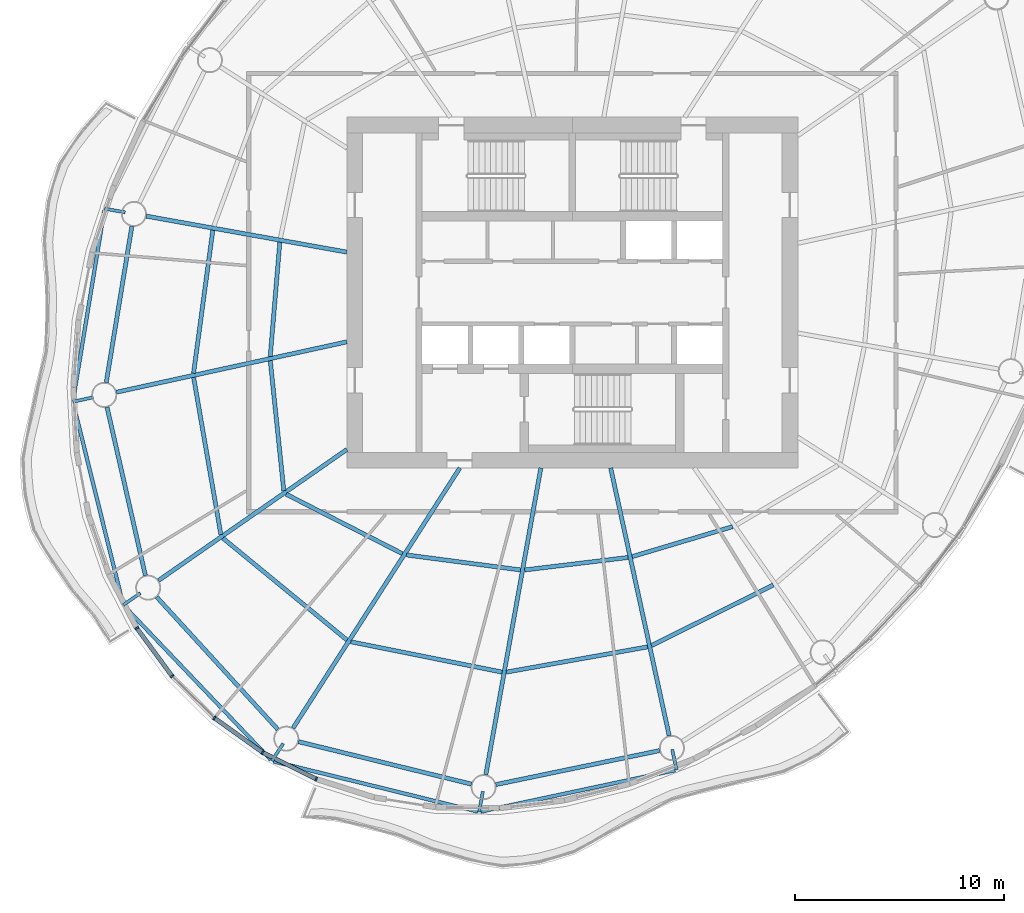
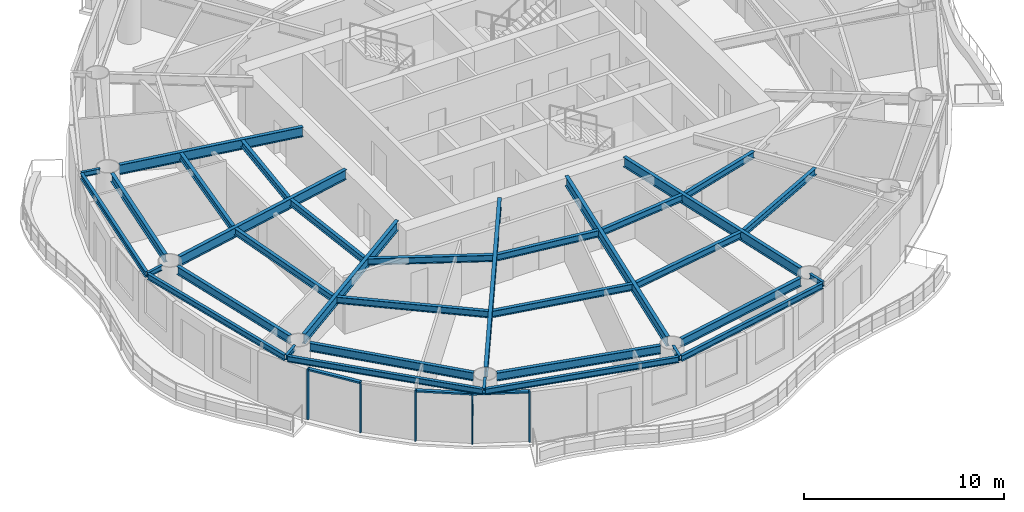
# One storey, part 2 of 14: 34 beams, 8 members, 4 elements without a shape of their own.
"""IFC4 building model written with IfcOpenShell, lengths in metres."""

from ifc_helpers import new_model, si_unit, direction, frame, origin, origin_2d, place, context, subcontext, project, spatial, rectangle, i_section, extrude, material, material_profile, profile_set, type_object, element, aggregate, save


model = new_model("IFC4")

# Units and contexts
model_context = context("Model", 3, precision=1e-05, world=origin(), true_north=direction((0.0, 1.0)))
body_context = subcontext(model_context, "Body", "Model", "MODEL_VIEW")
ifc_project = project(units=[si_unit("LENGTHUNIT", "METRE"), si_unit("AREAUNIT", "SQUARE_METRE"), si_unit("VOLUMEUNIT", "CUBIC_METRE"), si_unit("PLANEANGLEUNIT", "RADIAN"), si_unit("MASSUNIT", "GRAM", prefix="KILO")], contexts=[model_context])

# Site, building, storey
site_placement = place(None, origin())
site = spatial("IfcSite", under=ifc_project, at=site_placement, CompositionType="ELEMENT")
building_placement = place(site_placement, origin())
building = spatial("IfcBuilding", under=site, at=building_placement, Name="Vermilion Reach Broadcast Tower", CompositionType="ELEMENT")
storey_placement = place(building_placement, frame((0.0, 0.0, 231.699951171875)))
storey = spatial("IfcBuildingStorey", under=building, at=storey_placement, Name="L57", CompositionType="ELEMENT", Elevation=231.699951171875)

# Beams
ifc_material_1 = material(Name="Steel S355J2", Category="steel")
ifc_material_profile_1 = material_profile(ifc_material_1, i_section(OverallWidth=0.175048828125, OverallDepth=0.35009765625, WebThickness=0.007080078125, FlangeThickness=0.010986328125, at=origin_2d()), Name="S355J2 HN 350x175x7x11")
ifc_profile_set_1 = profile_set([ifc_material_profile_1], Name="Steel S355J2")
beam_type_1 = type_object("IfcBeamType", Name="EB4 HN 350x175x7x11", PredefinedType="BEAM", material=ifc_profile_set_1)
beam_1_placement = place(storey_placement, frame((-28.417724609375, 3.9453125, 3.275146484375), z_axis=(-0.162302688441, -0.986741018365, 0.0), x_axis=(0.986741018365, -0.162302688441, 0.0)))
element("IfcBeam", 1, at=beam_1_placement, inside=storey, type_object=beam_type_1, Name="Edge beam EB4-06", PredefinedType="BEAM", context=body_context, shape_type="SweptSolid", body=[
    extrude(i_section(OverallWidth=0.175048828125, OverallDepth=0.35009765625, WebThickness=0.007080078125, FlangeThickness=0.010986328125, at=origin_2d()), origin(), (0.0, 0.0, 1.0), 9.218017578125),
])
beam_2_placement = place(storey_placement, frame((-29.908935546875, -5.302734375, 3.275146484375), z_axis=(0.240819581999, -0.970569899042, 0.0), x_axis=(0.970569899042, 0.240819581999, 0.0)))
element("IfcBeam", 2, at=beam_2_placement, inside=storey, type_object=beam_type_1, Name="Edge beam EB4-07", PredefinedType="BEAM", context=body_context, shape_type="SweptSolid", body=[
    extrude(i_section(OverallWidth=0.175048828125, OverallDepth=0.35009765625, WebThickness=0.007080078125, FlangeThickness=0.010986328125, at=origin_2d()), origin(), (0.0, 0.0, 1.0), 9.87744140625),
])
beam_3_placement = place(storey_placement, frame((-27.45849609375, -15.022216796875, 3.275146484375), z_axis=(0.689966242308, -0.723841546525, 0.0), x_axis=(0.723841546525, 0.689966242308, 0.0)))
element("IfcBeam", 3, at=beam_3_placement, inside=storey, type_object=beam_type_1, Name="Edge beam EB4-08", PredefinedType="BEAM", context=body_context, shape_type="SweptSolid", body=[
    extrude(i_section(OverallWidth=0.175048828125, OverallDepth=0.35009765625, WebThickness=0.007080078125, FlangeThickness=0.010986328125, at=origin_2d()), origin(), (0.0, 0.0, 1.0), 10.169189453125),
])
beam_4_placement = place(storey_placement, frame((-20.31201171875, -22.457763671875, 3.275146484375), z_axis=(0.971092154973, -0.238704894274, 0.0), x_axis=(0.238704894274, 0.971092154973, 0.0)))
element("IfcBeam", 4, at=beam_4_placement, inside=storey, type_object=beam_type_1, Name="Edge beam EB4-09", PredefinedType="BEAM", context=body_context, shape_type="SweptSolid", body=[
    extrude(i_section(OverallWidth=0.175048828125, OverallDepth=0.35009765625, WebThickness=0.007080078125, FlangeThickness=0.010986328125, at=origin_2d()), origin(), (0.0, 0.0, 1.0), 10.067138671875),
])
beam_5_placement = place(storey_placement, frame((-10.3837890625, -24.86181640625, 3.275146484375), z_axis=(0.978096150859, 0.208153596351, 0.0), x_axis=(-0.208153596351, 0.978096150859, 0.0)))
element("IfcBeam", 5, at=beam_5_placement, inside=storey, type_object=beam_type_1, Name="Edge beam EB4-10", PredefinedType="BEAM", context=body_context, shape_type="SweptSolid", body=[
    extrude(i_section(OverallWidth=0.175048828125, OverallDepth=0.35009765625, WebThickness=0.007080078125, FlangeThickness=0.010986328125, at=origin_2d()), origin(), (0.0, 0.0, 1.0), 9.516845703125),
])
ifc_material_2 = material(Name="Steel S355J2", Category="steel")
ifc_material_profile_2 = material_profile(ifc_material_2, i_section(OverallWidth=0.199951171875, OverallDepth=0.60009765625, WebThickness=0.010986328125, FlangeThickness=0.01708984375, at=origin_2d()), Name="S355J2 HN 600x200x11x17")
ifc_profile_set_2 = profile_set([ifc_material_profile_2], Name="Steel S355J2")
beam_type_2 = type_object("IfcBeamType", Name="G4 HN 600x200x11x17", PredefinedType="BEAM", material=ifc_profile_set_2)
beam_6_placement = place(storey_placement, frame((-16.800048828125, 1.9375, 3.150146484375), z_axis=(-0.984291153273, 0.176552897422, 0.0), x_axis=(-0.176552897422, -0.984291153273, 0.0)))
element("IfcBeam", 6, at=beam_6_placement, inside=storey, type_object=beam_type_2, Name="Girder G4-06", PredefinedType="BEAM", context=body_context, shape_type="SweptSolid", body=[
    extrude(i_section(OverallWidth=0.199951171875, OverallDepth=0.60009765625, WebThickness=0.010986328125, FlangeThickness=0.01708984375, at=origin_2d()), origin(), (0.0, 0.0, 1.0), 9.765380859375),
])
beam_7_placement = place(storey_placement, frame((-16.800048828125, -2.360595703125, 3.150146484375), z_axis=(-0.976930175286, -0.213558967537, 0.0), x_axis=(0.213558967537, -0.976930175286, 0.0)))
element("IfcBeam", 7, at=beam_7_placement, inside=storey, type_object=beam_type_2, Name="Girder G4-07", PredefinedType="BEAM", context=body_context, shape_type="SweptSolid", body=[
    extrude(i_section(OverallWidth=0.199951171875, OverallDepth=0.60009765625, WebThickness=0.010986328125, FlangeThickness=0.01708984375, at=origin_2d()), origin(), (0.0, 0.0, 1.0), 11.29833984375),
])
beam_8_placement = place(storey_placement, frame((-16.800048828125, -7.5146484375, 3.150146484375), z_axis=(-0.820848627818, -0.571145804684, 0.0), x_axis=(0.571145804684, -0.820848627818, 0.0)))
element("IfcBeam", 8, at=beam_8_placement, inside=storey, type_object=beam_type_2, Name="Girder G4-08", PredefinedType="BEAM", context=body_context, shape_type="SweptSolid", body=[
    extrude(i_section(OverallWidth=0.199951171875, OverallDepth=0.60009765625, WebThickness=0.010986328125, FlangeThickness=0.01708984375, at=origin_2d()), origin(), (0.0, 0.0, 1.0), 10.99560546875),
])
beam_9_placement = place(storey_placement, frame((-11.386474609375, -8.39990234375, 3.150146484375), z_axis=(-0.539796447586, -0.84179557802, 0.0), x_axis=(0.84179557802, -0.539796447586, 0.0)))
element("IfcBeam", 9, at=beam_9_placement, inside=storey, type_object=beam_type_2, Name="Girder G4-09", PredefinedType="BEAM", context=body_context, shape_type="SweptSolid", body=[
    extrude(i_section(OverallWidth=0.199951171875, OverallDepth=0.60009765625, WebThickness=0.010986328125, FlangeThickness=0.01708984375, at=origin_2d()), origin(), (0.0, 0.0, 1.0), 14.8076171875),
])
beam_10_placement = place(storey_placement, frame((-7.5068359375, -8.39990234375, 3.150146484375), z_axis=(-0.176574729047, -0.984287237072, 0.0), x_axis=(0.984287237072, -0.176574729047, 0.0)))
element("IfcBeam", 10, at=beam_10_placement, inside=storey, type_object=beam_type_2, Name="Girder G4-10", PredefinedType="BEAM", context=body_context, shape_type="SweptSolid", body=[
    extrude(i_section(OverallWidth=0.199951171875, OverallDepth=0.60009765625, WebThickness=0.010986328125, FlangeThickness=0.01708984375, at=origin_2d()), origin(), (0.0, 0.0, 1.0), 14.935302734375),
])
beam_11_placement = place(storey_placement, frame((-4.163818359375, -8.39990234375, 3.150146484375), z_axis=(0.213538346548, -0.976934682849, 0.0), x_axis=(0.976934682849, 0.213538346548, 0.0)))
element("IfcBeam", 11, at=beam_11_placement, inside=storey, type_object=beam_type_2, Name="Girder G4-11", PredefinedType="BEAM", context=body_context, shape_type="SweptSolid", body=[
    extrude(i_section(OverallWidth=0.199951171875, OverallDepth=0.60009765625, WebThickness=0.010986328125, FlangeThickness=0.01708984375, at=origin_2d()), origin(), (0.0, 0.0, 1.0), 13.135498046875),
])
ifc_material_3 = material(Name="Steel S355J2", Category="steel")
ifc_material_profile_3 = material_profile(ifc_material_3, i_section(OverallWidth=0.14990234375, OverallDepth=0.300048828125, WebThickness=0.006591796875, FlangeThickness=0.009033203125, at=origin_2d()), Name="S355J2 HN 300x150x6.5x9")
ifc_profile_set_3 = profile_set([ifc_material_profile_3], Name="Steel S355J2")
beam_type_3 = type_object("IfcBeamType", Name="GS4 HN 300x150x6.5x9", PredefinedType="BEAM", material=ifc_profile_set_3)
for number, where, z_axis, x_axis, name in (
    (12, (-27.421142578125, 3.8427734375, 3.300048828125), (-0.984300581331, 0.176500327456, 0.0), (-0.176500327456, -0.984300581331, 0.0), "Cantilever stub GS4-06"),
    (13, (-28.949951171875, -5.0166015625, 3.300048828125), (-0.976973219116, -0.213361967393, 0.0), (0.213361967393, -0.976973219116, 0.0), "Cantilever stub GS4-07"),
    (14, (-26.690185546875, -14.39599609375, 3.300048828125), (-0.820765852073, -0.571264751294, 0.0), (0.571264751294, -0.820765852073, 0.0), "Cantilever stub GS4-08"),
    (15, (-19.84912109375, -21.59716796875, 3.300048828125), (-0.539794777091, -0.841796649213, 0.0), (0.841796649213, -0.539794777091, 0.0), "Cantilever stub GS4-09"),
):
    element("IfcBeam", number, at=place(storey_placement, frame(where, z_axis=z_axis, x_axis=x_axis)), inside=storey, type_object=beam_type_3, Name=name, PredefinedType="BEAM", context=body_context, shape_type="SweptSolid", body=[
        extrude(i_section(OverallWidth=0.14990234375, OverallDepth=0.300048828125, WebThickness=0.006591796875, FlangeThickness=0.009033203125, at=origin_2d()), origin(), (0.0, 0.0, 1.0), 1.0),
    ])
beam_12_placement = place(storey_placement, frame((-10.286376953125, -23.89453125, 3.300048828125), z_axis=(-0.176542748677, -0.984292973606, 0.0), x_axis=(0.984292973606, -0.176542748677, 0.0)))
element("IfcBeam", 16, at=beam_12_placement, inside=storey, type_object=beam_type_3, Name="Cantilever stub GS4-10", PredefinedType="BEAM", context=body_context, shape_type="SweptSolid", body=[
    extrude(i_section(OverallWidth=0.14990234375, OverallDepth=0.300048828125, WebThickness=0.006591796875, FlangeThickness=0.009033203125, at=origin_2d()), origin(), (0.0, 0.0, 1.0), 0.999755859375),
])
beam_13_placement = place(storey_placement, frame((-1.215576171875, -21.888427734375, 3.300048828125), z_axis=(0.213645906146, -0.976911166272, 0.0), x_axis=(0.976911166272, 0.213645906146, 0.0)))
element("IfcBeam", 17, at=beam_13_placement, inside=storey, type_object=beam_type_3, Name="Cantilever stub GS4-11", PredefinedType="BEAM", context=body_context, shape_type="SweptSolid", body=[
    extrude(i_section(OverallWidth=0.14990234375, OverallDepth=0.300048828125, WebThickness=0.006591796875, FlangeThickness=0.009033203125, at=origin_2d()), origin(), (0.0, 0.0, 1.0), 1.0),
])
ifc_material_4 = material(Name="Steel S355J2", Category="steel")
ifc_material_profile_4 = material_profile(ifc_material_4, i_section(OverallWidth=0.199951171875, OverallDepth=0.5, WebThickness=0.010009765625, FlangeThickness=0.01611328125, at=origin_2d()), Name="S355J2 HN 500x200x10x16")
ifc_profile_set_4 = profile_set([ifc_material_profile_4], Name="Steel S355J2")
beam_type_4 = type_object("IfcBeamType", Name="RB4 HN 500x200x10x16", PredefinedType="BEAM", material=ifc_profile_set_4)
beam_14_placement = place(storey_placement, frame((-27.099609375, 3.175537109375, 3.199951171875), z_axis=(-0.161778110263, -0.986827159659, 0.0), x_axis=(0.986827159659, -0.161778110263, 0.0)))
element("IfcBeam", 18, at=beam_14_placement, inside=storey, type_object=beam_type_4, Name="Ring beam RB4-06", PredefinedType="BEAM", context=body_context, shape_type="SweptSolid", body=[
    extrude(i_section(OverallWidth=0.199951171875, OverallDepth=0.5, WebThickness=0.010009765625, FlangeThickness=0.01611328125, at=origin_2d()), origin(), (0.0, 0.0, 1.0), 7.584716796875),
])
beam_15_placement = place(storey_placement, frame((-28.290283203125, -5.486572265625, 3.199951171875), z_axis=(0.222283068275, -0.974982172944, 0.0), x_axis=(0.974982172944, 0.222283068275, 0.0)))
element("IfcBeam", 19, at=beam_15_placement, inside=storey, type_object=beam_type_4, Name="Ring beam RB4-07", PredefinedType="BEAM", context=body_context, shape_type="SweptSolid", body=[
    extrude(i_section(OverallWidth=0.199951171875, OverallDepth=0.5, WebThickness=0.010009765625, FlangeThickness=0.01611328125, at=origin_2d()), origin(), (0.0, 0.0, 1.0), 8.272705078125),
])
beam_16_placement = place(storey_placement, frame((-25.9130859375, -14.580078125, 3.199951171875), z_axis=(0.674868141417, -0.737938338684, 0.0), x_axis=(0.737938338684, 0.674868141417, 0.0)))
element("IfcBeam", 20, at=beam_16_placement, inside=storey, type_object=beam_type_4, Name="Ring beam RB4-08", PredefinedType="BEAM", context=body_context, shape_type="SweptSolid", body=[
    extrude(i_section(OverallWidth=0.199951171875, OverallDepth=0.5, WebThickness=0.010009765625, FlangeThickness=0.01611328125, at=origin_2d()), origin(), (0.0, 0.0, 1.0), 8.601318359375),
])
beam_17_placement = place(storey_placement, frame((-19.120849609375, -21.51318359375, 3.199951171875), z_axis=(0.971158622271, -0.238434331398, 0.0), x_axis=(0.238434331398, 0.971158622271, 0.0)))
element("IfcBeam", 21, at=beam_17_placement, inside=storey, type_object=beam_type_4, Name="Ring beam RB4-09", PredefinedType="BEAM", context=body_context, shape_type="SweptSolid", body=[
    extrude(i_section(OverallWidth=0.199951171875, OverallDepth=0.5, WebThickness=0.010009765625, FlangeThickness=0.01611328125, at=origin_2d()), origin(), (0.0, 0.0, 1.0), 8.534423828125),
])
beam_18_placement = place(storey_placement, frame((-9.662353515625, -23.569091796875, 3.199951171875), z_axis=(0.97912342484, 0.203266620302, 0.0), x_axis=(-0.203266620302, 0.97912342484, 0.0)))
element("IfcBeam", 22, at=beam_18_placement, inside=storey, type_object=beam_type_4, Name="Ring beam RB4-10", PredefinedType="BEAM", context=body_context, shape_type="SweptSolid", body=[
    extrude(i_section(OverallWidth=0.199951171875, OverallDepth=0.5, WebThickness=0.010009765625, FlangeThickness=0.01611328125, at=origin_2d()), origin(), (0.0, 0.0, 1.0), 8.01123046875),
])
ifc_material_5 = material(Name="Steel S355J2", Category="steel")
ifc_material_profile_5 = material_profile(ifc_material_5, i_section(OverallWidth=0.199951171875, OverallDepth=0.39990234375, WebThickness=0.008056640625, FlangeThickness=0.012939453125, at=origin_2d()), Name="S355J2 HN 400x200x8x13")
ifc_profile_set_5 = profile_set([ifc_material_profile_5], Name="Steel S355J2")
beam_type_5 = type_object("IfcBeamType", Name="SB4 HN 400x200x8x13", PredefinedType="BEAM", material=ifc_profile_set_5)
beam_19_placement = place(storey_placement, frame((-20.012451171875, 2.412109375, 3.25), z_axis=(-0.08339866655, -0.996516262997, 0.0), x_axis=(0.996516262997, -0.08339866655, 0.0)))
element("IfcBeam", 23, at=beam_19_placement, inside=storey, type_object=beam_type_5, Name="Secondary beam SB4-06-1", PredefinedType="BEAM", context=body_context, shape_type="SweptSolid", body=[
    extrude(i_section(OverallWidth=0.199951171875, OverallDepth=0.39990234375, WebThickness=0.008056640625, FlangeThickness=0.012939453125, at=origin_2d()), origin(), (0.0, 0.0, 1.0), 5.49169921875),
])
beam_20_placement = place(storey_placement, frame((-23.221435546875, 2.98779296875, 3.25), z_axis=(-0.133486718782, -0.991050602093, 0.0), x_axis=(0.991050602093, -0.133486718782, 0.0)))
element("IfcBeam", 24, at=beam_20_placement, inside=storey, type_object=beam_type_5, Name="Secondary beam SB4-06-2", PredefinedType="BEAM", context=body_context, shape_type="SweptSolid", body=[
    extrude(i_section(OverallWidth=0.199951171875, OverallDepth=0.39990234375, WebThickness=0.008056640625, FlangeThickness=0.012939453125, at=origin_2d()), origin(), (0.0, 0.0, 1.0), 6.913330078125),
])
beam_21_placement = place(storey_placement, frame((-20.46875, -3.264892578125, 3.25), z_axis=(0.103532173355, -0.994626105167, 0.0), x_axis=(0.994626105167, 0.103532173355, 0.0)))
element("IfcBeam", 25, at=beam_21_placement, inside=storey, type_object=beam_type_5, Name="Secondary beam SB4-07-1", PredefinedType="BEAM", context=body_context, shape_type="SweptSolid", body=[
    extrude(i_section(OverallWidth=0.199951171875, OverallDepth=0.39990234375, WebThickness=0.008056640625, FlangeThickness=0.012939453125, at=origin_2d()), origin(), (0.0, 0.0, 1.0), 6.26318359375),
])
beam_22_placement = place(storey_placement, frame((-24.141357421875, -4.067626953125, 3.25), z_axis=(0.170926997669, -0.985283695931, 0.0), x_axis=(0.985283695931, 0.170926997669, 0.0)))
element("IfcBeam", 26, at=beam_22_placement, inside=storey, type_object=beam_type_5, Name="Secondary beam SB4-07-2", PredefinedType="BEAM", context=body_context, shape_type="SweptSolid", body=[
    extrude(i_section(OverallWidth=0.199951171875, OverallDepth=0.39990234375, WebThickness=0.008056640625, FlangeThickness=0.012939453125, at=origin_2d()), origin(), (0.0, 0.0, 1.0), 7.63720703125),
])
beam_23_placement = place(storey_placement, frame((-19.707763671875, -9.659423828125, 3.25), z_axis=(0.89015575218, -0.455656380249, 0.0), x_axis=(0.455656380249, 0.89015575218, 0.0)))
element("IfcBeam", 27, at=beam_23_placement, inside=storey, type_object=beam_type_5, Name="Secondary beam SB4-08-1", PredefinedType="BEAM", context=body_context, shape_type="SweptSolid", body=[
    extrude(i_section(OverallWidth=0.199951171875, OverallDepth=0.39990234375, WebThickness=0.008056640625, FlangeThickness=0.012939453125, at=origin_2d()), origin(), (0.0, 0.0, 1.0), 6.25439453125),
])
beam_24_placement = place(storey_placement, frame((-22.73681640625, -11.76708984375, 3.25), z_axis=(0.772952000494, -0.6344645025, 0.0), x_axis=(0.6344645025, 0.772952000494, 0.0)))
element("IfcBeam", 28, at=beam_24_placement, inside=storey, type_object=beam_type_5, Name="Secondary beam SB4-08-2", PredefinedType="BEAM", context=body_context, shape_type="SweptSolid", body=[
    extrude(i_section(OverallWidth=0.199951171875, OverallDepth=0.39990234375, WebThickness=0.008056640625, FlangeThickness=0.012939453125, at=origin_2d()), origin(), (0.0, 0.0, 1.0), 7.689697265625),
])
beam_25_placement = place(storey_placement, frame((-13.94140625, -12.5693359375, 3.25), z_axis=(0.991458070019, -0.130425823341, 0.0), x_axis=(0.130425823341, 0.991458070019, 0.0)))
element("IfcBeam", 29, at=beam_25_placement, inside=storey, type_object=beam_type_5, Name="Secondary beam SB4-09-1", PredefinedType="BEAM", context=body_context, shape_type="SweptSolid", body=[
    extrude(i_section(OverallWidth=0.199951171875, OverallDepth=0.39990234375, WebThickness=0.008056640625, FlangeThickness=0.012939453125, at=origin_2d()), origin(), (0.0, 0.0, 1.0), 5.50341796875),
])
beam_26_placement = place(storey_placement, frame((-16.60986328125, -16.73095703125, 3.25), z_axis=(0.9805717807, -0.196160604851, 0.0), x_axis=(0.196160604851, 0.9805717807, 0.0)))
element("IfcBeam", 30, at=beam_26_placement, inside=storey, type_object=beam_type_5, Name="Secondary beam SB4-09-2", PredefinedType="BEAM", context=body_context, shape_type="SweptSolid", body=[
    extrude(i_section(OverallWidth=0.199951171875, OverallDepth=0.39990234375, WebThickness=0.008056640625, FlangeThickness=0.012939453125, at=origin_2d()), origin(), (0.0, 0.0, 1.0), 7.390380859375),
])
beam_27_placement = place(storey_placement, frame((-8.281982421875, -13.28759765625, 3.25), z_axis=(0.99278788328, 0.119884189168, 0.0), x_axis=(-0.119884189168, 0.99278788328, 0.0)))
element("IfcBeam", 31, at=beam_27_placement, inside=storey, type_object=beam_type_5, Name="Secondary beam SB4-10-1", PredefinedType="BEAM", context=body_context, shape_type="SweptSolid", body=[
    extrude(i_section(OverallWidth=0.199951171875, OverallDepth=0.39990234375, WebThickness=0.008056640625, FlangeThickness=0.012939453125, at=origin_2d()), origin(), (0.0, 0.0, 1.0), 4.9892578125),
])
beam_28_placement = place(storey_placement, frame((-9.159912109375, -18.181640625, 3.25), z_axis=(0.984415281892, 0.175859468829, 0.0), x_axis=(-0.175859468829, 0.984415281892, 0.0)))
element("IfcBeam", 32, at=beam_28_placement, inside=storey, type_object=beam_type_5, Name="Secondary beam SB4-10-2", PredefinedType="BEAM", context=body_context, shape_type="SweptSolid", body=[
    extrude(i_section(OverallWidth=0.199951171875, OverallDepth=0.39990234375, WebThickness=0.008056640625, FlangeThickness=0.012939453125, at=origin_2d()), origin(), (0.0, 0.0, 1.0), 6.874755859375),
])
beam_29_placement = place(storey_placement, frame((-3.1328125, -12.64892578125, 3.25), z_axis=(0.958173460215, 0.28618808525, 0.0), x_axis=(-0.28618808525, 0.958173460215, 0.0)))
element("IfcBeam", 33, at=beam_29_placement, inside=storey, type_object=beam_type_5, Name="Secondary beam SB4-11-1", PredefinedType="BEAM", context=body_context, shape_type="SweptSolid", body=[
    extrude(i_section(OverallWidth=0.199951171875, OverallDepth=0.39990234375, WebThickness=0.008056640625, FlangeThickness=0.012939453125, at=origin_2d()), origin(), (0.0, 0.0, 1.0), 5.02197265625),
])
beam_30_placement = place(storey_placement, frame((-2.20166015625, -16.908935546875, 3.25), z_axis=(0.895183615542, 0.445697536974, 0.0), x_axis=(-0.445697536974, 0.895183615542, 0.0)))
element("IfcBeam", 34, at=beam_30_placement, inside=storey, type_object=beam_type_5, Name="Secondary beam SB4-11-2", PredefinedType="BEAM", context=body_context, shape_type="SweptSolid", body=[
    extrude(i_section(OverallWidth=0.199951171875, OverallDepth=0.39990234375, WebThickness=0.008056640625, FlangeThickness=0.012939453125, at=origin_2d()), origin(), (0.0, 0.0, 1.0), 6.508544921875),
])

# Curtain wall, member
ifc_material_6 = material(Name="Low-e laminated clear glass in aluminium frame", Category="aluminium")
curtain_wall_type = type_object("IfcCurtainWallType", Name="Slot curtain wall", PredefinedType="NOTDEFINED", material=ifc_material_6)
placement = place(storey_placement, origin())
curtain_wall_1 = element("IfcCurtainWall", 35, at=placement, inside=storey, type_object=curtain_wall_type, Name="Slot curtain wall L57 22", PredefinedType="NOTDEFINED")
ifc_material_7 = material(Name="Anodised aluminium", Category="aluminium")
ifc_material_profile_6 = material_profile(ifc_material_7, rectangle(XDim=0.199951171875, YDim=0.080078125, at=origin_2d()), Name="Slot mullion 80 x 200")
ifc_profile_set_6 = profile_set([ifc_material_profile_6], Name="Anodised aluminium")
member_type_1 = type_object("IfcMemberType", Name="Slot mullion 80 x 200", PredefinedType="MULLION", material=ifc_profile_set_6)
member_1_placement = place(storey_placement, frame((-26.865478515625, -16.0693359375, 0.0), z_axis=(0.0, 0.0, 1.0), x_axis=(0.849464428571, 0.527645889393, 0.0)))
member_1 = element("IfcMember", 36, at=member_1_placement, type_object=member_type_1, Name="Slot mullion L57 22", PredefinedType="MULLION", context=body_context, shape_type="SweptSolid", body=[
    extrude(rectangle(XDim=0.199951171875, YDim=0.080078125, at=origin_2d()), origin(), (0.0, 0.0, 1.0), 3.10009765625),
])

curtain_wall_2 = element("IfcCurtainWall", 37, at=placement, inside=storey, type_object=curtain_wall_type, Name="Slot curtain wall L57 23", PredefinedType="NOTDEFINED")
member_2_placement = place(storey_placement, frame((-25.16943359375, -18.38037109375, 0.0), z_axis=(0.0, 0.0, 1.0), x_axis=(0.756868427494, 0.653567275391, 0.0)))
member_2 = element("IfcMember", 38, at=member_2_placement, type_object=member_type_1, Name="Slot mullion L57 23", PredefinedType="MULLION", context=body_context, shape_type="SweptSolid", body=[
    extrude(rectangle(XDim=0.199951171875, YDim=0.080078125, at=origin_2d()), origin(), (0.0, 0.0, 1.0), 3.10009765625),
])
aggregate(curtain_wall_2, [member_2])

curtain_wall_3 = element("IfcCurtainWall", 39, at=placement, inside=storey, type_object=curtain_wall_type, Name="Slot curtain wall L57 24", PredefinedType="NOTDEFINED")
member_3_placement = place(storey_placement, frame((-23.1474609375, -20.377685546875, 0.0), z_axis=(0.0, 0.0, 1.0), x_axis=(0.64385659192, 0.76514618802, 0.0)))
member_3 = element("IfcMember", 40, at=member_3_placement, type_object=member_type_1, Name="Slot mullion L57 24", PredefinedType="MULLION", context=body_context, shape_type="SweptSolid", body=[
    extrude(rectangle(XDim=0.199951171875, YDim=0.080078125, at=origin_2d()), origin(), (0.0, 0.0, 1.0), 3.10009765625),
])

# Curtain wall, members
curtain_wall_4 = element("IfcCurtainWall", 41, at=placement, inside=storey, type_object=curtain_wall_type, Name="Slot curtain wall L57 25", PredefinedType="NOTDEFINED")
member_4_placement = place(storey_placement, frame((-20.833984375, -22.028564453125, 0.0), z_axis=(0.0, 0.0, 1.0), x_axis=(0.514605728902, 0.857426932036, 0.0)))
member_4 = element("IfcMember", 42, at=member_4_placement, type_object=member_type_1, Name="Slot mullion L57 25", PredefinedType="MULLION", context=body_context, shape_type="SweptSolid", body=[
    extrude(rectangle(XDim=0.199951171875, YDim=0.080078125, at=origin_2d()), origin(), (0.0, 0.0, 1.0), 3.10009765625),
])
member_5_placement = place(storey_placement, frame((-18.26708984375, -23.3046875, 0.0), z_axis=(0.0, 0.0, 1.0), x_axis=(0.374712385366, 0.927141104823, 0.0)))
member_5 = element("IfcMember", 43, at=member_5_placement, type_object=member_type_1, Name="Slot mullion L57 26", PredefinedType="MULLION", context=body_context, shape_type="SweptSolid", body=[
    extrude(rectangle(XDim=0.199951171875, YDim=0.080078125, at=origin_2d()), origin(), (0.0, 0.0, 1.0), 3.10009765625),
])

# Member
ifc_material_8 = material(Name="Anodised aluminium", Category="aluminium")
ifc_material_profile_7 = material_profile(ifc_material_8, rectangle(XDim=0.199951171875, YDim=0.10009765625, at=origin_2d()), Name="Slot transom 200 x 100")
ifc_profile_set_7 = profile_set([ifc_material_profile_7], Name="Anodised aluminium")
member_type_2 = type_object("IfcMemberType", Name="Slot transom 200 x 100", PredefinedType="USERDEFINED", material=ifc_profile_set_7)
member_6_placement = place(storey_placement, frame((-26.841796875, -16.1015625, 3.050048828125), z_axis=(0.591640896485, -0.806201618459, 0.0), x_axis=(0.806201618459, 0.591640896485, 0.0)))
member_6 = element("IfcMember", 44, at=member_6_placement, type_object=member_type_2, Name="Slot transom L57 22.1", ObjectType="TRANSOM", PredefinedType="USERDEFINED", context=body_context, shape_type="SweptSolid", body=[
    extrude(rectangle(XDim=0.199951171875, YDim=0.10009765625, at=origin_2d()), origin(), (0.0, 0.0, 1.0), 2.78662109375),
])

aggregate(curtain_wall_1, [member_1, member_6])

member_7_placement = place(storey_placement, frame((-23.114990234375, -20.401123046875, 3.050048828125), z_axis=(0.814049873741, -0.580794975066, 0.0), x_axis=(0.580794975066, 0.814049873741, 0.0)))
member_7 = element("IfcMember", 45, at=member_7_placement, type_object=member_type_2, Name="Slot transom L57 24.1", ObjectType="TRANSOM", PredefinedType="USERDEFINED", context=body_context, shape_type="SweptSolid", body=[
    extrude(rectangle(XDim=0.199951171875, YDim=0.10009765625, at=origin_2d()), origin(), (0.0, 0.0, 1.0), 2.76220703125),
])

aggregate(curtain_wall_3, [member_3, member_7])

member_8_placement = place(storey_placement, frame((-20.798095703125, -22.04638671875, 3.050048828125), z_axis=(0.895458595531, -0.445144812043, 0.0), x_axis=(0.445144812043, 0.895458595531, 0.0)))
member_8 = element("IfcMember", 46, at=member_8_placement, type_object=member_type_2, Name="Slot transom L57 25.1", ObjectType="TRANSOM", PredefinedType="USERDEFINED", context=body_context, shape_type="SweptSolid", body=[
    extrude(rectangle(XDim=0.199951171875, YDim=0.10009765625, at=origin_2d()), origin(), (0.0, 0.0, 1.0), 2.78662109375),
])

aggregate(curtain_wall_4, [member_4, member_5, member_8])

save(model, "model.ifc")
